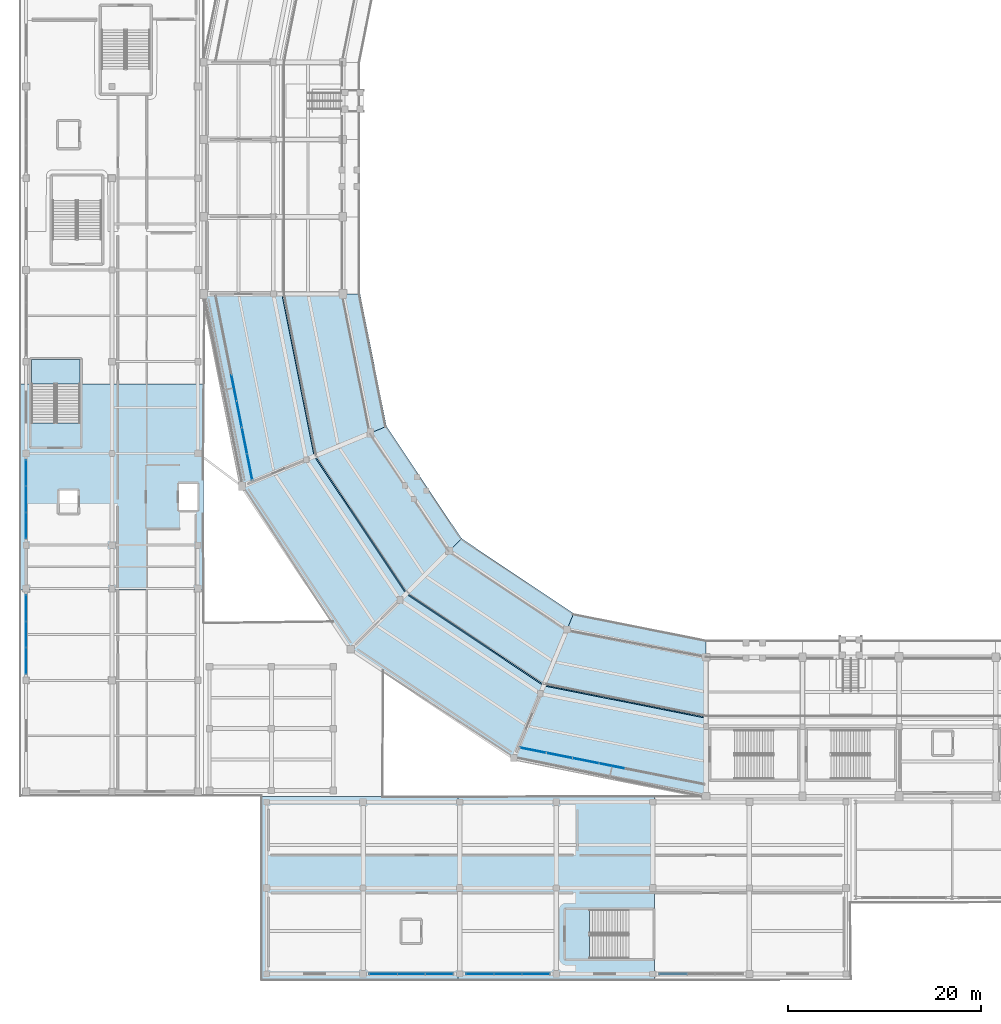
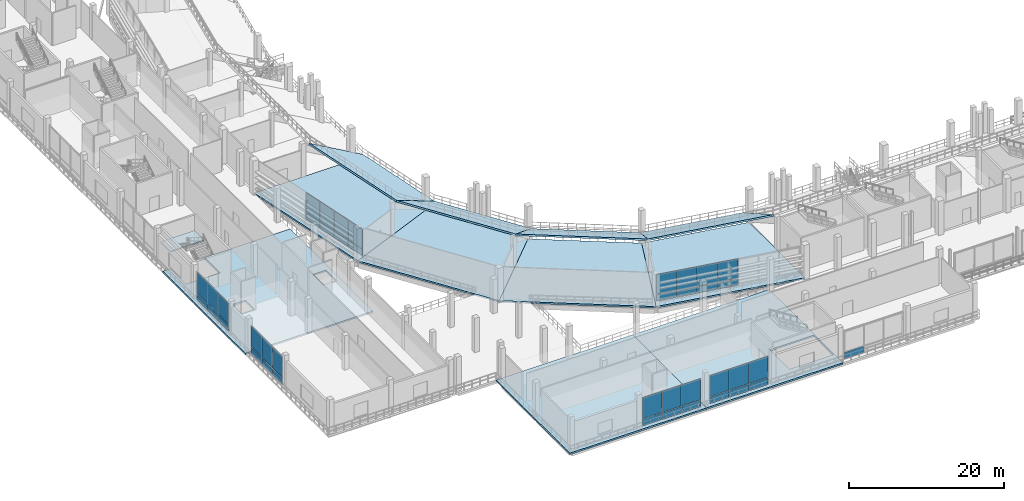
# One storey, part 62 of 127: 41 plates, 12 slabs, 8 elements without a shape of their own.
"""IFC4 building model written with IfcOpenShell, lengths in metres."""

from ifc_helpers import new_model, si_unit, direction, frame, origin, origin_2d, place, context, subcontext, project, spatial, polyline, rectangle, outline, extrude, material, layer, layer_set, type_object, element, aggregate, save


model = new_model("IFC4")

# Units and contexts
model_context = context("Model", 3, precision=1e-05, world=origin(), true_north=direction((0.0, 1.0)))
body_context = subcontext(model_context, "Body", "Model", "MODEL_VIEW")
ifc_project = project(units=[si_unit("LENGTHUNIT", "METRE"), si_unit("AREAUNIT", "SQUARE_METRE"), si_unit("VOLUMEUNIT", "CUBIC_METRE"), si_unit("PLANEANGLEUNIT", "RADIAN"), si_unit("MASSUNIT", "GRAM", prefix="KILO")], contexts=[model_context])

# Site, building, storey
site_placement = place(None, origin())
site = spatial("IfcSite", under=ifc_project, at=site_placement, CompositionType="ELEMENT")
building_placement = place(site_placement, origin())
building = spatial("IfcBuilding", under=site, at=building_placement, Name="Candeia Ridge Stadium", CompositionType="ELEMENT")
storey_placement = place(building_placement, frame((0.0, 0.0, 10.800048828125)))
storey = spatial("IfcBuildingStorey", under=building, at=storey_placement, Name="L02", CompositionType="ELEMENT", Elevation=10.800048828125)

# Slabs
ifc_material_1 = material(Name="Precast concrete C45/55", Category="concrete")
ifc_layer_1 = layer(ifc_material_1, 0.22509765625, Name="Precast concrete C45/55", Category="concrete")
ifc_layer_set_1 = layer_set([ifc_layer_1], Name="Precast concrete C45/55")
slab_type_1 = type_object("IfcSlabType", Name="Club Seating Tier Precast 225", PredefinedType="USERDEFINED", material=ifc_layer_set_1)
slab_1_placement = place(storey_placement, frame((35.199951171875, 71.0, 0.39990234375), z_axis=(0.492009659407, 0.097864069881, 0.86507174204), x_axis=(0.195089410595, -0.980785461692, -2.563371e-06)))
element("IfcSlab", 1, at=slab_1_placement, inside=storey, type_object=slab_type_1, Name="Stand Club Tier Stands Bay 15", ObjectType="SEATING TIER", PredefinedType="USERDEFINED", context=body_context, shape_type="SweptSolid", body=[
    extrude(outline(polyline([(0.0, 0.0), (13.96835063084204, 0.0), (15.529587610985773, -9.070278646793197), (-1.5607269482180093, -9.070119940205563), (0.0, 0.0)])), origin(), (0.0, 0.0, -1.0), 0.22509765625),
])
slab_2_placement = place(storey_placement, frame((37.925048828125, 57.300048828125, 0.39990234375), z_axis=(0.417085102929, 0.278715263732, 0.865076770395), x_axis=(0.555607708072, -0.831444571051, 6.87557e-07)))
element("IfcSlab", 2, at=slab_2_placement, inside=storey, type_object=slab_type_1, Name="Stand Club Tier Stands Bay 16", ObjectType="SEATING TIER", PredefinedType="USERDEFINED", context=body_context, shape_type="SweptSolid", body=[
    extrude(outline(polyline([(0.0, 0.0), (13.968472441742488, 8.881784197001252e-16), (15.528879855339513, -9.070334794515325), (-1.5606633618274304, -9.070377363223672), (0.0, 0.0)])), origin(), (0.0, 0.0, -1.0), 0.22509765625),
])
slab_3_placement = place(storey_placement, frame((45.68603515625, 45.68603515625, 0.39990234375), z_axis=(0.278715263732, 0.417085102929, 0.865076770395), x_axis=(0.831444571051, -0.555607708072, -6.87557e-07)))
element("IfcSlab", 3, at=slab_3_placement, inside=storey, type_object=slab_type_1, Name="Stand Club Tier Stands Bay 17", ObjectType="SEATING TIER", PredefinedType="USERDEFINED", context=body_context, shape_type="SweptSolid", body=[
    extrude(outline(polyline([(0.0, 0.0), (13.968472441742488, -8.881784197001252e-16), (15.529135803569918, -9.070377363223672), (-1.5604074135970254, -9.070334794515325), (0.0, 0.0)])), origin(), (0.0, 0.0, -1.0), 0.22509765625),
])
slab_4_placement = place(storey_placement, frame((57.300048828125, 37.925048828125, 0.39990234375), z_axis=(0.097864069881, 0.492009659407, 0.86507174204), x_axis=(0.980785461692, -0.195089410595, 2.563371e-06)))
element("IfcSlab", 4, at=slab_4_placement, inside=storey, type_object=slab_type_1, Name="Stand Club Tier Stands Bay 18", ObjectType="SEATING TIER", PredefinedType="USERDEFINED", context=body_context, shape_type="SweptSolid", body=[
    extrude(outline(polyline([(0.0, 0.0), (13.96835063084204, 0.0), (15.529077579060049, -9.070119940205563), (-1.5612369801437325, -9.070278646793197), (0.0, 0.0)])), origin(), (0.0, 0.0, -1.0), 0.22509765625),
])

# Stair, slab
ifc_material_2 = material(Name="Concrete C40/50", Category="concrete")
stair_type = type_object("IfcStairType", Name="Enclosed Core Half-Turn Stair 2450", PredefinedType="HALF_TURN_STAIR", material=ifc_material_2)
stair_placement = place(storey_placement, origin())
stair = element("IfcStair", 5, at=stair_placement, inside=storey, type_object=stair_type, Name="L02 Enclosed exit stair ST05", PredefinedType="HALF_TURN_STAIR")
ifc_layer_2 = layer(ifc_material_2, 0.199951171875, Name="Concrete C40/50", Category="concrete")
ifc_layer_set_2 = layer_set([ifc_layer_2], Name="Concrete C40/50")
slab_type_2 = type_object("IfcSlabType", Name="Core Stair Landing Slab 200", PredefinedType="LANDING", material=ifc_layer_set_2)
slab_5_placement = place(storey_placement, frame((0.0, 0.0, 2.5)))
slab_5 = element("IfcSlab", 6, at=slab_5_placement, type_object=slab_type_2, Name="ST05 landing 1", PredefinedType="LANDING", context=body_context, shape_type="SweptSolid", body=[
    extrude(outline(polyline([(6.199951171875, 61.7099609375), (6.199951171875, 64.199951171875), (1.14990234375, 64.199951171875), (1.14990234375, 61.7099609375), (6.199951171875, 61.7099609375)])), origin(), (0.0, 0.0, 1.0), 0.199951171875),
])
aggregate(stair, [slab_5])

# Curtain wall, plates
ifc_material_3 = material(Name="Aluminium Anodized Warm Bronze", Category="aluminium")
curtain_wall_type_1 = type_object("IfcCurtainWallType", Name="Cardinal Entrance Gate Tall Glazed Curtain Wall", PredefinedType="NOTDEFINED", material=ifc_material_3)
curtain_wall_1_placement = place(storey_placement, origin())
curtain_wall_1 = element("IfcCurtainWall", 7, at=curtain_wall_1_placement, inside=storey, type_object=curtain_wall_type_1, Name="Unitised curtain wall CW-WNG-L02-081", PredefinedType="NOTDEFINED")
ifc_material_4 = material(Name="Laminated Acoustic Glazing", Category="glass")
ifc_layer_3 = layer(ifc_material_4, 0.035888671875, Name="Laminated Acoustic Glazing", Category="glass")
ifc_layer_set_3 = layer_set([ifc_layer_3], Name="Laminated Acoustic Glazing")
plate_type_1 = type_object("IfcPlateType", Name="Gate Tall Laminated Glass Panel GP3", PredefinedType="CURTAIN_PANEL", material=ifc_layer_set_3)
plate_1_placement = place(storey_placement, frame((0.60009765625, 33.023193359375, 1.14013671875), z_axis=(0.0, 0.0, 1.0), x_axis=(0.0, 1.0, 0.0)))
plate_1 = element("IfcPlate", 8, at=plate_1_placement, type_object=plate_type_1, Name="Curtain wall vision glass panel CW-WNG-L02-081-GP0", PredefinedType="CURTAIN_PANEL", context=body_context, shape_type="SweptSolid", body=[
    extrude(rectangle(XDim=2.65673828125, YDim=0.035888671875, at=origin_2d()), origin(), (0.0, 0.0, 1.0), 3.304931640625),
])
plate_2_placement = place(storey_placement, frame((0.60009765625, 35.75, 1.14013671875), z_axis=(0.0, 0.0, 1.0), x_axis=(0.0, 1.0, 0.0)))
plate_2 = element("IfcPlate", 9, at=plate_2_placement, type_object=plate_type_1, Name="Curtain wall vision glass panel CW-WNG-L02-081-GP1", PredefinedType="CURTAIN_PANEL", context=body_context, shape_type="SweptSolid", body=[
    extrude(rectangle(XDim=2.65673828125, YDim=0.035888671875, at=origin_2d()), origin(), (0.0, 0.0, 1.0), 3.304931640625),
])
plate_3_placement = place(storey_placement, frame((0.60009765625, 38.476806640625, 1.14013671875), z_axis=(0.0, 0.0, 1.0), x_axis=(0.0, 1.0, 0.0)))
plate_3 = element("IfcPlate", 10, at=plate_3_placement, type_object=plate_type_1, Name="Curtain wall vision glass panel CW-WNG-L02-081-GP2", PredefinedType="CURTAIN_PANEL", context=body_context, shape_type="SweptSolid", body=[
    extrude(rectangle(XDim=2.65673828125, YDim=0.035888671875, at=origin_2d()), origin(), (0.0, 0.0, 1.0), 3.304931640625),
])

curtain_wall_2_placement = place(storey_placement, origin())
curtain_wall_2 = element("IfcCurtainWall", 11, at=curtain_wall_2_placement, inside=storey, type_object=curtain_wall_type_1, Name="Unitised curtain wall CW-WNG-L02-082", PredefinedType="NOTDEFINED")
plate_4_placement = place(storey_placement, frame((0.60009765625, 47.023193359375, 1.14013671875), z_axis=(0.0, 0.0, 1.0), x_axis=(0.0, 1.0, 0.0)))
plate_4 = element("IfcPlate", 12, at=plate_4_placement, type_object=plate_type_1, Name="Curtain wall vision glass panel CW-WNG-L02-082-GP0", PredefinedType="CURTAIN_PANEL", context=body_context, shape_type="SweptSolid", body=[
    extrude(rectangle(XDim=2.65673828125, YDim=0.035888671875, at=origin_2d()), origin(), (0.0, 0.0, 1.0), 3.304931640625),
])
plate_5_placement = place(storey_placement, frame((0.60009765625, 49.75, 1.14013671875), z_axis=(0.0, 0.0, 1.0), x_axis=(0.0, 1.0, 0.0)))
plate_5 = element("IfcPlate", 13, at=plate_5_placement, type_object=plate_type_1, Name="Curtain wall vision glass panel CW-WNG-L02-082-GP1", PredefinedType="CURTAIN_PANEL", context=body_context, shape_type="SweptSolid", body=[
    extrude(rectangle(XDim=2.65673828125, YDim=0.035888671875, at=origin_2d()), origin(), (0.0, 0.0, 1.0), 3.304931640625),
])
plate_6_placement = place(storey_placement, frame((0.60009765625, 52.476806640625, 1.14013671875), z_axis=(0.0, 0.0, 1.0), x_axis=(0.0, 1.0, 0.0)))
plate_6 = element("IfcPlate", 14, at=plate_6_placement, type_object=plate_type_1, Name="Curtain wall vision glass panel CW-WNG-L02-082-GP2", PredefinedType="CURTAIN_PANEL", context=body_context, shape_type="SweptSolid", body=[
    extrude(rectangle(XDim=2.65673828125, YDim=0.035888671875, at=origin_2d()), origin(), (0.0, 0.0, 1.0), 3.304931640625),
])

# Slabs
ifc_layer_4 = layer(ifc_material_2, 0.25, Name="Concrete C40/50", Category="concrete")
ifc_layer_set_4 = layer_set([ifc_layer_4], Name="Concrete C40/50")
slab_type_3 = type_object("IfcSlabType", Name="Hospitality & Museum Slab 250", PredefinedType="FLOOR", material=ifc_layer_set_4)
slab_6_placement = place(storey_placement, frame((0.0, 0.0, -0.25)))
element("IfcSlab", 15, at=slab_6_placement, inside=storey, type_object=slab_type_3, Name="Bowl concourse sector slab L02 bay 15 SLB-L02-0087", PredefinedType="FLOOR", context=body_context, shape_type="SweptSolid", body=[
    extrude(outline(polyline([(36.26220703125, 56.611083984375), (22.958251953125, 51.1005859375), (19.0, 71.0), (33.39990234375, 71.0), (36.26220703125, 56.611083984375)])), origin(), (0.0, 0.0, 1.0), 0.25),
])
slab_7_placement = place(storey_placement, frame((0.0, 0.0, -0.25)))
element("IfcSlab", 16, at=slab_7_placement, inside=storey, type_object=slab_type_3, Name="Bowl concourse sector slab L02 bay 16 SLB-L02-0088", PredefinedType="FLOOR", context=body_context, shape_type="SweptSolid", body=[
    extrude(outline(polyline([(44.412841796875, 44.412841796875), (34.23046875, 34.23046875), (22.958251953125, 51.1005859375), (36.26220703125, 56.611083984375), (44.412841796875, 44.412841796875)])), origin(), (0.0, 0.0, 1.0), 0.25),
])
slab_8_placement = place(storey_placement, frame((0.0, 0.0, -0.25)))
element("IfcSlab", 17, at=slab_8_placement, inside=storey, type_object=slab_type_3, Name="Bowl concourse sector slab L02 bay 17 SLB-L02-0089", PredefinedType="FLOOR", context=body_context, shape_type="SweptSolid", body=[
    extrude(outline(polyline([(56.611083984375, 36.26220703125), (51.1005859375, 22.958251953125), (34.23046875, 34.23046875), (44.412841796875, 44.412841796875), (56.611083984375, 36.26220703125)])), origin(), (0.0, 0.0, 1.0), 0.25),
])
slab_9_placement = place(storey_placement, frame((0.0, 0.0, -0.25)))
element("IfcSlab", 18, at=slab_9_placement, inside=storey, type_object=slab_type_3, Name="Bowl concourse sector slab L02 bay 18 SLB-L02-0090", PredefinedType="FLOOR", context=body_context, shape_type="SweptSolid", body=[
    extrude(outline(polyline([(70.960693359375, 33.40771484375), (70.960693359375, 19.0078125), (51.1005859375, 22.958251953125), (56.611083984375, 36.26220703125), (70.960693359375, 33.40771484375)])), origin(), (0.0, 0.0, 1.0), 0.25),
])
slab_10_placement = place(storey_placement, frame((0.0, 0.0, -0.25)))
element("IfcSlab", 19, at=slab_10_placement, inside=storey, type_object=slab_type_3, Name="Wing floor slab west SLB-L02-0246", PredefinedType="FLOOR", context=body_context, shape_type="SweptSolid", body=[
    extrude(outline(polyline([(19.0, 61.666748046875), (19.0, 40.333251953125), (0.0, 40.333251953125), (0.0, 61.666748046875), (1.14990234375, 61.666748046875), (1.14990234375, 57.650634765625), (6.199951171875, 57.650634765625), (6.199951171875, 61.666748046875), (19.0, 61.666748046875)]), holes=[polyline([(5.949951171875, 48.35009765625), (5.949951171875, 50.64990234375), (4.050048828125, 50.64990234375), (4.050048828125, 48.35009765625), (5.949951171875, 48.35009765625)]), polyline([(18.35009765625, 48.64990234375), (18.35009765625, 51.35009765625), (16.449951171875, 51.35009765625), (16.449951171875, 48.64990234375), (18.35009765625, 48.64990234375)])]), origin(), (0.0, 0.0, 1.0), 0.25),
])
slab_11_placement = place(storey_placement, frame((0.0, 0.0, -0.25)))
element("IfcSlab", 20, at=slab_11_placement, inside=storey, type_object=slab_type_3, Name="Wing floor slab sw_s SLB-L02-0257", PredefinedType="FLOOR", context=body_context, shape_type="SweptSolid", body=[
    extrude(outline(polyline([(25.0, 0.0), (25.0, 19.0), (45.333251953125, 19.0), (45.333251953125, 0.0), (25.0, 0.0)]), holes=[polyline([(41.449951171875, 3.85009765625), (41.449951171875, 6.14990234375), (39.550048828125, 6.14990234375), (39.550048828125, 3.85009765625), (41.449951171875, 3.85009765625)])]), origin(), (0.0, 0.0, 1.0), 0.25),
])
slab_12_placement = place(storey_placement, frame((0.0, 0.0, -0.25)))
element("IfcSlab", 21, at=slab_12_placement, inside=storey, type_object=slab_type_3, Name="Wing floor slab sw_s SLB-L02-0258", PredefinedType="FLOOR", context=body_context, shape_type="SweptSolid", body=[
    extrude(outline(polyline([(45.333251953125, 0.0), (45.333251953125, 19.0), (65.666748046875, 19.0), (65.666748046875, 0.0), (45.333251953125, 0.0)]), holes=[polyline([(58.95068359375, 2.199951171875), (65.5, 2.199951171875), (65.5, 7.25), (58.95068359375, 7.25), (58.95068359375, 2.199951171875)])]), origin(), (0.0, 0.0, 1.0), 0.25),
])

# Curtain wall, plates
curtain_wall_type_2 = type_object("IfcCurtainWallType", Name="Concourse Recessed Unitised Curtain Wall", PredefinedType="NOTDEFINED", material=ifc_material_3)
curtain_wall_3_placement = place(storey_placement, origin())
curtain_wall_3 = element("IfcCurtainWall", 22, at=curtain_wall_3_placement, inside=storey, type_object=curtain_wall_type_2, Name="Unitised curtain wall CW-BWL-L02-14", PredefinedType="NOTDEFINED")
ifc_material_5 = material(Name="Aluminium Insulated Spandrel", Category="aluminium")
ifc_layer_5 = layer(ifc_material_5, 0.06494140625, Name="Aluminium Insulated Spandrel", Category="aluminium")
ifc_layer_set_5 = layer_set([ifc_layer_5], Name="Aluminium Insulated Spandrel")
plate_type_2 = type_object("IfcPlateType", Name="Insulated Bronze Spandrel Panel SP1", PredefinedType="CURTAIN_PANEL", material=ifc_layer_set_5)
plate_7_placement = place(storey_placement, frame((22.13330078125, 61.27978515625, 0.0400390625), z_axis=(0.0, 0.0, 1.0), x_axis=(0.195090320544, -0.980785280696, 0.0)))
plate_7 = element("IfcPlate", 23, at=plate_7_placement, type_object=plate_type_2, Name="Curtain wall spandrel panel CW-BWL-L02-14-SP3", PredefinedType="CURTAIN_PANEL", context=body_context, shape_type="SweptSolid", body=[
    extrude(rectangle(XDim=2.710205078125, YDim=0.06494140625, at=origin_2d()), origin(), (0.0, 0.0, 1.0), 0.973876953125),
])
plate_8_placement = place(storey_placement, frame((22.67578125, 58.552978515625, 0.0400390625), z_axis=(0.0, 0.0, 1.0), x_axis=(0.195090320544, -0.980785280696, 0.0)))
plate_8 = element("IfcPlate", 24, at=plate_8_placement, type_object=plate_type_2, Name="Curtain wall spandrel panel CW-BWL-L02-14-SP4", PredefinedType="CURTAIN_PANEL", context=body_context, shape_type="SweptSolid", body=[
    extrude(rectangle(XDim=2.710205078125, YDim=0.06494140625, at=origin_2d()), origin(), (0.0, 0.0, 1.0), 0.973876953125),
])
plate_9_placement = place(storey_placement, frame((23.21826171875, 55.826416015625, 0.0400390625), z_axis=(0.0, 0.0, 1.0), x_axis=(0.195090320544, -0.980785280696, 0.0)))
plate_9 = element("IfcPlate", 25, at=plate_9_placement, type_object=plate_type_2, Name="Curtain wall spandrel panel CW-BWL-L02-14-SP5", PredefinedType="CURTAIN_PANEL", context=body_context, shape_type="SweptSolid", body=[
    extrude(rectangle(XDim=2.710205078125, YDim=0.06494140625, at=origin_2d()), origin(), (0.0, 0.0, 1.0), 0.973876953125),
])
plate_10_placement = place(storey_placement, frame((23.760498046875, 53.099609375, 0.0400390625), z_axis=(0.0, 0.0, 1.0), x_axis=(0.195090320544, -0.980785280696, 0.0)))
plate_10 = element("IfcPlate", 26, at=plate_10_placement, type_object=plate_type_2, Name="Curtain wall spandrel panel CW-BWL-L02-14-SP6", PredefinedType="CURTAIN_PANEL", context=body_context, shape_type="SweptSolid", body=[
    extrude(rectangle(XDim=2.710205078125, YDim=0.06494140625, at=origin_2d()), origin(), (0.0, 0.0, 1.0), 0.973876953125),
])

curtain_wall_4_placement = place(storey_placement, origin())
curtain_wall_4 = element("IfcCurtainWall", 27, at=curtain_wall_4_placement, inside=storey, type_object=curtain_wall_type_2, Name="Unitised curtain wall CW-BWL-L02-17", PredefinedType="NOTDEFINED")
ifc_layer_6 = layer(ifc_material_5, 0.06494140625, Name="Aluminium Insulated Spandrel", Category="aluminium")
ifc_layer_set_6 = layer_set([ifc_layer_6], Name="Aluminium Insulated Spandrel")
plate_type_3 = type_object("IfcPlateType", Name="Insulated Bronze Spandrel Panel SP5", PredefinedType="CURTAIN_PANEL", material=ifc_layer_set_6)
plate_11_placement = place(storey_placement, frame((53.099609375, 23.760498046875, 0.0400390625), z_axis=(0.0, 0.0, 1.0), x_axis=(0.980785280696, -0.195090320544, 0.0)))
plate_11 = element("IfcPlate", 28, at=plate_11_placement, type_object=plate_type_3, Name="Curtain wall spandrel panel CW-BWL-L02-17-SP0", PredefinedType="CURTAIN_PANEL", context=body_context, shape_type="SweptSolid", body=[
    extrude(rectangle(XDim=2.710205078125, YDim=0.06494140625, at=origin_2d()), origin(), (0.0, 0.0, 1.0), 0.973876953125),
])
plate_12_placement = place(storey_placement, frame((55.826416015625, 23.21826171875, 0.0400390625), z_axis=(0.0, 0.0, 1.0), x_axis=(0.980785280696, -0.195090320544, 0.0)))
plate_12 = element("IfcPlate", 29, at=plate_12_placement, type_object=plate_type_3, Name="Curtain wall spandrel panel CW-BWL-L02-17-SP1", PredefinedType="CURTAIN_PANEL", context=body_context, shape_type="SweptSolid", body=[
    extrude(rectangle(XDim=2.710205078125, YDim=0.06494140625, at=origin_2d()), origin(), (0.0, 0.0, 1.0), 0.973876953125),
])
plate_13_placement = place(storey_placement, frame((58.552978515625, 22.67578125, 0.0400390625), z_axis=(0.0, 0.0, 1.0), x_axis=(0.980785280696, -0.195090320544, 0.0)))
plate_13 = element("IfcPlate", 30, at=plate_13_placement, type_object=plate_type_3, Name="Curtain wall spandrel panel CW-BWL-L02-17-SP2", PredefinedType="CURTAIN_PANEL", context=body_context, shape_type="SweptSolid", body=[
    extrude(rectangle(XDim=2.710205078125, YDim=0.06494140625, at=origin_2d()), origin(), (0.0, 0.0, 1.0), 0.973876953125),
])
plate_14_placement = place(storey_placement, frame((61.27978515625, 22.13330078125, 0.0400390625), z_axis=(0.0, 0.0, 1.0), x_axis=(0.980785280696, -0.195090320544, 0.0)))
plate_14 = element("IfcPlate", 31, at=plate_14_placement, type_object=plate_type_3, Name="Curtain wall spandrel panel CW-BWL-L02-17-SP3", PredefinedType="CURTAIN_PANEL", context=body_context, shape_type="SweptSolid", body=[
    extrude(rectangle(XDim=2.710205078125, YDim=0.06494140625, at=origin_2d()), origin(), (0.0, 0.0, 1.0), 0.973876953125),
])

# Plate
ifc_layer_7 = layer(ifc_material_5, 0.06494140625, Name="Aluminium Insulated Spandrel", Category="aluminium")
ifc_layer_set_7 = layer_set([ifc_layer_7], Name="Aluminium Insulated Spandrel")
plate_type_4 = type_object("IfcPlateType", Name="Insulated Cedar-Tone Spandrel Panel SP3", PredefinedType="CURTAIN_PANEL", material=ifc_layer_set_7)
plate_15_placement = place(storey_placement, frame((0.60009765625, 33.023193359375, 0.0400390625), z_axis=(0.0, 0.0, 1.0), x_axis=(0.0, 1.0, 0.0)))
plate_15 = element("IfcPlate", 32, at=plate_15_placement, type_object=plate_type_4, Name="Curtain wall spandrel panel CW-WNG-L02-081-SP0", PredefinedType="CURTAIN_PANEL", context=body_context, shape_type="SweptSolid", body=[
    extrude(rectangle(XDim=2.65673828125, YDim=0.06494140625, at=origin_2d()), origin(), (0.0, 0.0, 1.0), 1.02001953125),
])

plate_16_placement = place(storey_placement, frame((0.60009765625, 35.75, 0.0400390625), z_axis=(0.0, 0.0, 1.0), x_axis=(0.0, 1.0, 0.0)))
plate_16 = element("IfcPlate", 33, at=plate_16_placement, type_object=plate_type_4, Name="Curtain wall spandrel panel CW-WNG-L02-081-SP1", PredefinedType="CURTAIN_PANEL", context=body_context, shape_type="SweptSolid", body=[
    extrude(rectangle(XDim=2.65673828125, YDim=0.06494140625, at=origin_2d()), origin(), (0.0, 0.0, 1.0), 1.02001953125),
])

plate_17_placement = place(storey_placement, frame((0.60009765625, 38.476806640625, 0.0400390625), z_axis=(0.0, 0.0, 1.0), x_axis=(0.0, 1.0, 0.0)))
plate_17 = element("IfcPlate", 34, at=plate_17_placement, type_object=plate_type_4, Name="Curtain wall spandrel panel CW-WNG-L02-081-SP2", PredefinedType="CURTAIN_PANEL", context=body_context, shape_type="SweptSolid", body=[
    extrude(rectangle(XDim=2.65673828125, YDim=0.06494140625, at=origin_2d()), origin(), (0.0, 0.0, 1.0), 1.02001953125),
])

aggregate(curtain_wall_1, [plate_15, plate_1, plate_16, plate_2, plate_17, plate_3])

plate_18_placement = place(storey_placement, frame((0.60009765625, 47.023193359375, 0.0400390625), z_axis=(0.0, 0.0, 1.0), x_axis=(0.0, 1.0, 0.0)))
plate_18 = element("IfcPlate", 35, at=plate_18_placement, type_object=plate_type_4, Name="Curtain wall spandrel panel CW-WNG-L02-082-SP0", PredefinedType="CURTAIN_PANEL", context=body_context, shape_type="SweptSolid", body=[
    extrude(rectangle(XDim=2.65673828125, YDim=0.06494140625, at=origin_2d()), origin(), (0.0, 0.0, 1.0), 1.02001953125),
])

plate_19_placement = place(storey_placement, frame((0.60009765625, 49.75, 0.0400390625), z_axis=(0.0, 0.0, 1.0), x_axis=(0.0, 1.0, 0.0)))
plate_19 = element("IfcPlate", 36, at=plate_19_placement, type_object=plate_type_4, Name="Curtain wall spandrel panel CW-WNG-L02-082-SP1", PredefinedType="CURTAIN_PANEL", context=body_context, shape_type="SweptSolid", body=[
    extrude(rectangle(XDim=2.65673828125, YDim=0.06494140625, at=origin_2d()), origin(), (0.0, 0.0, 1.0), 1.02001953125),
])

plate_20_placement = place(storey_placement, frame((0.60009765625, 52.476806640625, 0.0400390625), z_axis=(0.0, 0.0, 1.0), x_axis=(0.0, 1.0, 0.0)))
plate_20 = element("IfcPlate", 37, at=plate_20_placement, type_object=plate_type_4, Name="Curtain wall spandrel panel CW-WNG-L02-082-SP2", PredefinedType="CURTAIN_PANEL", context=body_context, shape_type="SweptSolid", body=[
    extrude(rectangle(XDim=2.65673828125, YDim=0.06494140625, at=origin_2d()), origin(), (0.0, 0.0, 1.0), 1.02001953125),
])

aggregate(curtain_wall_2, [plate_18, plate_4, plate_19, plate_5, plate_20, plate_6])

# Curtain wall, plates
curtain_wall_type_3 = type_object("IfcCurtainWallType", Name="Museum & Boulevard Showcase Curtain Wall", PredefinedType="NOTDEFINED", material=ifc_material_3)
curtain_wall_5_placement = place(storey_placement, origin())
curtain_wall_5 = element("IfcCurtainWall", 38, at=curtain_wall_5_placement, inside=storey, type_object=curtain_wall_type_3, Name="Unitised curtain wall CW-WNG-L02-121", PredefinedType="NOTDEFINED")
plate_21_placement = place(storey_placement, frame((37.606689453125, 0.60009765625, 0.0400390625), z_axis=(0.0, 0.0, 1.0), x_axis=(1.0, 0.0, 0.0)))
plate_21 = element("IfcPlate", 39, at=plate_21_placement, type_object=plate_type_4, Name="Curtain wall spandrel panel CW-WNG-L02-121-SP0", PredefinedType="CURTAIN_PANEL", context=body_context, shape_type="SweptSolid", body=[
    extrude(rectangle(XDim=2.8232421875, YDim=0.06494140625, at=origin_2d()), origin(), (0.0, 0.0, 1.0), 1.02001953125),
])
plate_22_placement = place(storey_placement, frame((40.5, 0.60009765625, 0.0400390625), z_axis=(0.0, 0.0, 1.0), x_axis=(1.0, 0.0, 0.0)))
plate_22 = element("IfcPlate", 40, at=plate_22_placement, type_object=plate_type_4, Name="Curtain wall spandrel panel CW-WNG-L02-121-SP1", PredefinedType="CURTAIN_PANEL", context=body_context, shape_type="SweptSolid", body=[
    extrude(rectangle(XDim=2.8232421875, YDim=0.06494140625, at=origin_2d()), origin(), (0.0, 0.0, 1.0), 1.02001953125),
])
plate_23_placement = place(storey_placement, frame((43.393310546875, 0.60009765625, 0.0400390625), z_axis=(0.0, 0.0, 1.0), x_axis=(1.0, 0.0, 0.0)))
plate_23 = element("IfcPlate", 41, at=plate_23_placement, type_object=plate_type_4, Name="Curtain wall spandrel panel CW-WNG-L02-121-SP2", PredefinedType="CURTAIN_PANEL", context=body_context, shape_type="SweptSolid", body=[
    extrude(rectangle(XDim=2.8232421875, YDim=0.06494140625, at=origin_2d()), origin(), (0.0, 0.0, 1.0), 1.02001953125),
])

curtain_wall_6_placement = place(storey_placement, origin())
curtain_wall_6 = element("IfcCurtainWall", 42, at=curtain_wall_6_placement, inside=storey, type_object=curtain_wall_type_3, Name="Unitised curtain wall CW-WNG-L02-122", PredefinedType="NOTDEFINED")
plate_24_placement = place(storey_placement, frame((47.606689453125, 0.60009765625, 0.0400390625), z_axis=(0.0, 0.0, 1.0), x_axis=(1.0, 0.0, 0.0)))
plate_24 = element("IfcPlate", 43, at=plate_24_placement, type_object=plate_type_4, Name="Curtain wall spandrel panel CW-WNG-L02-122-SP0", PredefinedType="CURTAIN_PANEL", context=body_context, shape_type="SweptSolid", body=[
    extrude(rectangle(XDim=2.8232421875, YDim=0.06494140625, at=origin_2d()), origin(), (0.0, 0.0, 1.0), 1.02001953125),
])
plate_25_placement = place(storey_placement, frame((50.5, 0.60009765625, 0.0400390625), z_axis=(0.0, 0.0, 1.0), x_axis=(1.0, 0.0, 0.0)))
plate_25 = element("IfcPlate", 44, at=plate_25_placement, type_object=plate_type_4, Name="Curtain wall spandrel panel CW-WNG-L02-122-SP1", PredefinedType="CURTAIN_PANEL", context=body_context, shape_type="SweptSolid", body=[
    extrude(rectangle(XDim=2.8232421875, YDim=0.06494140625, at=origin_2d()), origin(), (0.0, 0.0, 1.0), 1.02001953125),
])
plate_26_placement = place(storey_placement, frame((53.393310546875, 0.60009765625, 0.0400390625), z_axis=(0.0, 0.0, 1.0), x_axis=(1.0, 0.0, 0.0)))
plate_26 = element("IfcPlate", 45, at=plate_26_placement, type_object=plate_type_4, Name="Curtain wall spandrel panel CW-WNG-L02-122-SP2", PredefinedType="CURTAIN_PANEL", context=body_context, shape_type="SweptSolid", body=[
    extrude(rectangle(XDim=2.8232421875, YDim=0.06494140625, at=origin_2d()), origin(), (0.0, 0.0, 1.0), 1.02001953125),
])

# Curtain wall, plate
curtain_wall_7_placement = place(storey_placement, origin())
curtain_wall_7 = element("IfcCurtainWall", 46, at=curtain_wall_7_placement, inside=storey, type_object=curtain_wall_type_3, Name="Unitised curtain wall CW-WNG-L02-123", PredefinedType="NOTDEFINED")
plate_27_placement = place(storey_placement, frame((67.606689453125, 0.60009765625, 0.0400390625), z_axis=(0.0, 0.0, 1.0), x_axis=(1.0, 0.0, 0.0)))
plate_27 = element("IfcPlate", 47, at=plate_27_placement, type_object=plate_type_4, Name="Curtain wall spandrel panel CW-WNG-L02-123-SP0", PredefinedType="CURTAIN_PANEL", context=body_context, shape_type="SweptSolid", body=[
    extrude(rectangle(XDim=2.8232421875, YDim=0.06494140625, at=origin_2d()), origin(), (0.0, 0.0, 1.0), 1.02001953125),
])
aggregate(curtain_wall_7, [plate_27])

# Plate
ifc_material_6 = material(Name="Tempered Low-E Double Glazing", Category="glass")
ifc_layer_8 = layer(ifc_material_6, 0.035888671875, Name="Tempered Low-E Double Glazing", Category="glass")
ifc_layer_set_8 = layer_set([ifc_layer_8], Name="Tempered Low-E Double Glazing")
plate_type_5 = type_object("IfcPlateType", Name="Pavilion Panorama Glass Panel GP4", PredefinedType="CURTAIN_PANEL", material=ifc_layer_set_8)
plate_28_placement = place(storey_placement, frame((37.606689453125, 0.60009765625, 1.14013671875), z_axis=(0.0, 0.0, 1.0), x_axis=(1.0, 0.0, 0.0)))
plate_28 = element("IfcPlate", 48, at=plate_28_placement, type_object=plate_type_5, Name="Curtain wall vision glass panel CW-WNG-L02-121-GP0", PredefinedType="CURTAIN_PANEL", context=body_context, shape_type="SweptSolid", body=[
    extrude(rectangle(XDim=2.8232421875, YDim=0.035888671875, at=origin_2d()), origin(), (0.0, 0.0, 1.0), 3.304931640625),
])

plate_29_placement = place(storey_placement, frame((40.5, 0.60009765625, 1.14013671875), z_axis=(0.0, 0.0, 1.0), x_axis=(1.0, 0.0, 0.0)))
plate_29 = element("IfcPlate", 49, at=plate_29_placement, type_object=plate_type_5, Name="Curtain wall vision glass panel CW-WNG-L02-121-GP1", PredefinedType="CURTAIN_PANEL", context=body_context, shape_type="SweptSolid", body=[
    extrude(rectangle(XDim=2.8232421875, YDim=0.035888671875, at=origin_2d()), origin(), (0.0, 0.0, 1.0), 3.304931640625),
])

plate_30_placement = place(storey_placement, frame((43.393310546875, 0.60009765625, 1.14013671875), z_axis=(0.0, 0.0, 1.0), x_axis=(1.0, 0.0, 0.0)))
plate_30 = element("IfcPlate", 50, at=plate_30_placement, type_object=plate_type_5, Name="Curtain wall vision glass panel CW-WNG-L02-121-GP2", PredefinedType="CURTAIN_PANEL", context=body_context, shape_type="SweptSolid", body=[
    extrude(rectangle(XDim=2.8232421875, YDim=0.035888671875, at=origin_2d()), origin(), (0.0, 0.0, 1.0), 3.304931640625),
])

aggregate(curtain_wall_5, [plate_21, plate_28, plate_22, plate_29, plate_23, plate_30])

plate_31_placement = place(storey_placement, frame((47.606689453125, 0.60009765625, 1.14013671875), z_axis=(0.0, 0.0, 1.0), x_axis=(1.0, 0.0, 0.0)))
plate_31 = element("IfcPlate", 51, at=plate_31_placement, type_object=plate_type_5, Name="Curtain wall vision glass panel CW-WNG-L02-122-GP0", PredefinedType="CURTAIN_PANEL", context=body_context, shape_type="SweptSolid", body=[
    extrude(rectangle(XDim=2.8232421875, YDim=0.035888671875, at=origin_2d()), origin(), (0.0, 0.0, 1.0), 3.304931640625),
])

plate_32_placement = place(storey_placement, frame((50.5, 0.60009765625, 1.14013671875), z_axis=(0.0, 0.0, 1.0), x_axis=(1.0, 0.0, 0.0)))
plate_32 = element("IfcPlate", 52, at=plate_32_placement, type_object=plate_type_5, Name="Curtain wall vision glass panel CW-WNG-L02-122-GP1", PredefinedType="CURTAIN_PANEL", context=body_context, shape_type="SweptSolid", body=[
    extrude(rectangle(XDim=2.8232421875, YDim=0.035888671875, at=origin_2d()), origin(), (0.0, 0.0, 1.0), 3.304931640625),
])

plate_33_placement = place(storey_placement, frame((53.393310546875, 0.60009765625, 1.14013671875), z_axis=(0.0, 0.0, 1.0), x_axis=(1.0, 0.0, 0.0)))
plate_33 = element("IfcPlate", 53, at=plate_33_placement, type_object=plate_type_5, Name="Curtain wall vision glass panel CW-WNG-L02-122-GP2", PredefinedType="CURTAIN_PANEL", context=body_context, shape_type="SweptSolid", body=[
    extrude(rectangle(XDim=2.8232421875, YDim=0.035888671875, at=origin_2d()), origin(), (0.0, 0.0, 1.0), 3.304931640625),
])

aggregate(curtain_wall_6, [plate_24, plate_31, plate_25, plate_32, plate_26, plate_33])

ifc_layer_9 = layer(ifc_material_6, 0.035888671875, Name="Tempered Low-E Double Glazing", Category="glass")
ifc_layer_set_9 = layer_set([ifc_layer_9], Name="Tempered Low-E Double Glazing")
plate_type_6 = type_object("IfcPlateType", Name="Solar Control Vision Glass Panel GP2", PredefinedType="CURTAIN_PANEL", material=ifc_layer_set_9)
plate_34_placement = place(storey_placement, frame((53.099609375, 23.760498046875, 1.09375), z_axis=(0.0, 0.0, 1.0), x_axis=(0.980785280696, -0.195090320544, 0.0)))
plate_34 = element("IfcPlate", 54, at=plate_34_placement, type_object=plate_type_6, Name="Curtain wall vision glass panel CW-BWL-L02-17-GP0", PredefinedType="CURTAIN_PANEL", context=body_context, shape_type="SweptSolid", body=[
    extrude(rectangle(XDim=2.710205078125, YDim=0.035888671875, at=origin_2d()), origin(), (0.0, 0.0, 1.0), 3.081298828125),
])

plate_35_placement = place(storey_placement, frame((55.826416015625, 23.21826171875, 1.09375), z_axis=(0.0, 0.0, 1.0), x_axis=(0.980785280696, -0.195090320544, 0.0)))
plate_35 = element("IfcPlate", 55, at=plate_35_placement, type_object=plate_type_6, Name="Curtain wall vision glass panel CW-BWL-L02-17-GP1", PredefinedType="CURTAIN_PANEL", context=body_context, shape_type="SweptSolid", body=[
    extrude(rectangle(XDim=2.710205078125, YDim=0.035888671875, at=origin_2d()), origin(), (0.0, 0.0, 1.0), 3.081298828125),
])

plate_36_placement = place(storey_placement, frame((58.552978515625, 22.67578125, 1.09375), z_axis=(0.0, 0.0, 1.0), x_axis=(0.980785280696, -0.195090320544, 0.0)))
plate_36 = element("IfcPlate", 56, at=plate_36_placement, type_object=plate_type_6, Name="Curtain wall vision glass panel CW-BWL-L02-17-GP2", PredefinedType="CURTAIN_PANEL", context=body_context, shape_type="SweptSolid", body=[
    extrude(rectangle(XDim=2.710205078125, YDim=0.035888671875, at=origin_2d()), origin(), (0.0, 0.0, 1.0), 3.081298828125),
])

plate_37_placement = place(storey_placement, frame((61.27978515625, 22.13330078125, 1.09375), z_axis=(0.0, 0.0, 1.0), x_axis=(0.980785280696, -0.195090320544, 0.0)))
plate_37 = element("IfcPlate", 57, at=plate_37_placement, type_object=plate_type_6, Name="Curtain wall vision glass panel CW-BWL-L02-17-GP3", PredefinedType="CURTAIN_PANEL", context=body_context, shape_type="SweptSolid", body=[
    extrude(rectangle(XDim=2.710205078125, YDim=0.035888671875, at=origin_2d()), origin(), (0.0, 0.0, 1.0), 3.081298828125),
])

aggregate(curtain_wall_4, [plate_11, plate_34, plate_12, plate_35, plate_13, plate_36, plate_14, plate_37])

ifc_layer_10 = layer(ifc_material_6, 0.035888671875, Name="Tempered Low-E Double Glazing", Category="glass")
ifc_layer_set_10 = layer_set([ifc_layer_10], Name="Tempered Low-E Double Glazing")
plate_type_7 = type_object("IfcPlateType", Name="Solar Control Vision Glass Panel GP7", PredefinedType="CURTAIN_PANEL", material=ifc_layer_set_10)
plate_38_placement = place(storey_placement, frame((22.13330078125, 61.27978515625, 1.09375), z_axis=(0.0, 0.0, 1.0), x_axis=(0.195090320544, -0.980785280696, 0.0)))
plate_38 = element("IfcPlate", 58, at=plate_38_placement, type_object=plate_type_7, Name="Curtain wall vision glass panel CW-BWL-L02-14-GP3", PredefinedType="CURTAIN_PANEL", context=body_context, shape_type="SweptSolid", body=[
    extrude(rectangle(XDim=2.710205078125, YDim=0.035888671875, at=origin_2d()), origin(), (0.0, 0.0, 1.0), 3.081298828125),
])

plate_39_placement = place(storey_placement, frame((22.67578125, 58.552978515625, 1.09375), z_axis=(0.0, 0.0, 1.0), x_axis=(0.195090320544, -0.980785280696, 0.0)))
plate_39 = element("IfcPlate", 59, at=plate_39_placement, type_object=plate_type_7, Name="Curtain wall vision glass panel CW-BWL-L02-14-GP4", PredefinedType="CURTAIN_PANEL", context=body_context, shape_type="SweptSolid", body=[
    extrude(rectangle(XDim=2.710205078125, YDim=0.035888671875, at=origin_2d()), origin(), (0.0, 0.0, 1.0), 3.081298828125),
])

plate_40_placement = place(storey_placement, frame((23.21826171875, 55.826416015625, 1.09375), z_axis=(0.0, 0.0, 1.0), x_axis=(0.195090320544, -0.980785280696, 0.0)))
plate_40 = element("IfcPlate", 60, at=plate_40_placement, type_object=plate_type_7, Name="Curtain wall vision glass panel CW-BWL-L02-14-GP5", PredefinedType="CURTAIN_PANEL", context=body_context, shape_type="SweptSolid", body=[
    extrude(rectangle(XDim=2.710205078125, YDim=0.035888671875, at=origin_2d()), origin(), (0.0, 0.0, 1.0), 3.081298828125),
])

plate_41_placement = place(storey_placement, frame((23.760498046875, 53.099609375, 1.09375), z_axis=(0.0, 0.0, 1.0), x_axis=(0.195090320544, -0.980785280696, 0.0)))
plate_41 = element("IfcPlate", 61, at=plate_41_placement, type_object=plate_type_7, Name="Curtain wall vision glass panel CW-BWL-L02-14-GP6", PredefinedType="CURTAIN_PANEL", context=body_context, shape_type="SweptSolid", body=[
    extrude(rectangle(XDim=2.710205078125, YDim=0.035888671875, at=origin_2d()), origin(), (0.0, 0.0, 1.0), 3.081298828125),
])

aggregate(curtain_wall_3, [plate_7, plate_38, plate_8, plate_39, plate_9, plate_40, plate_10, plate_41])

save(model, "model.ifc")
